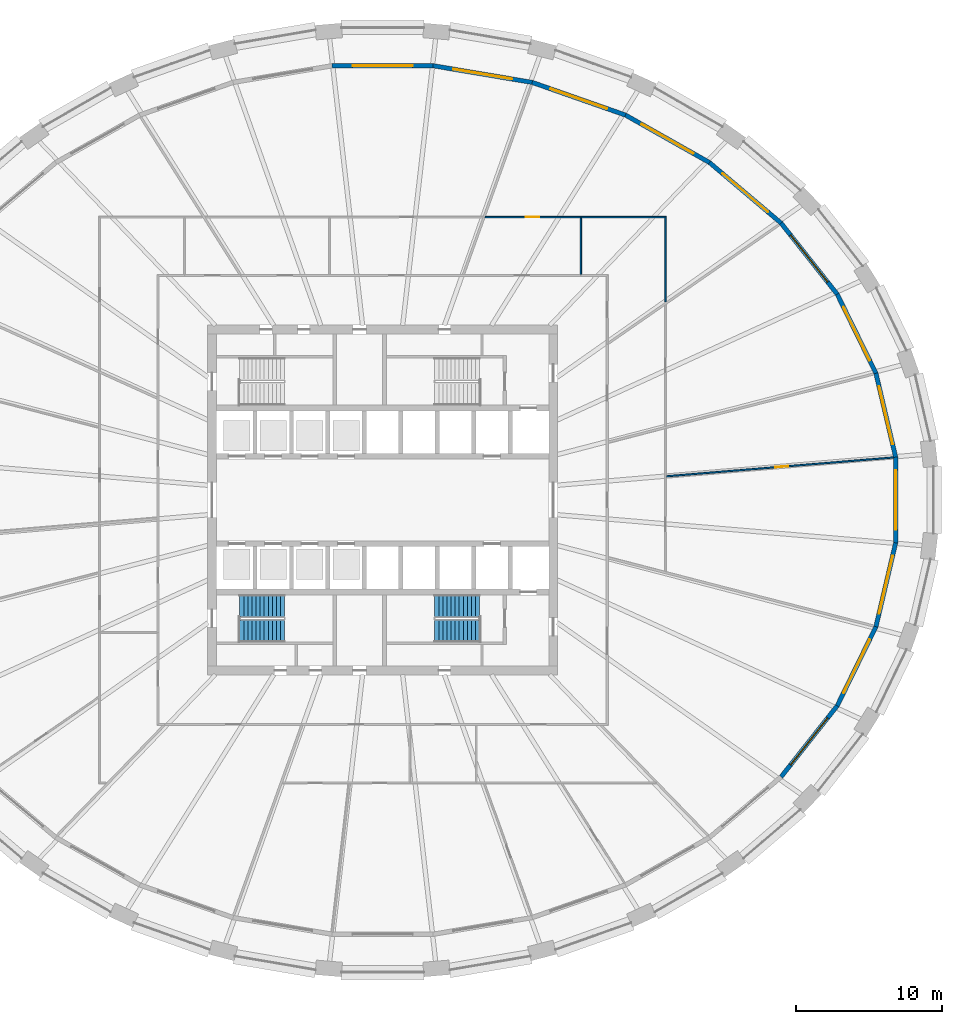
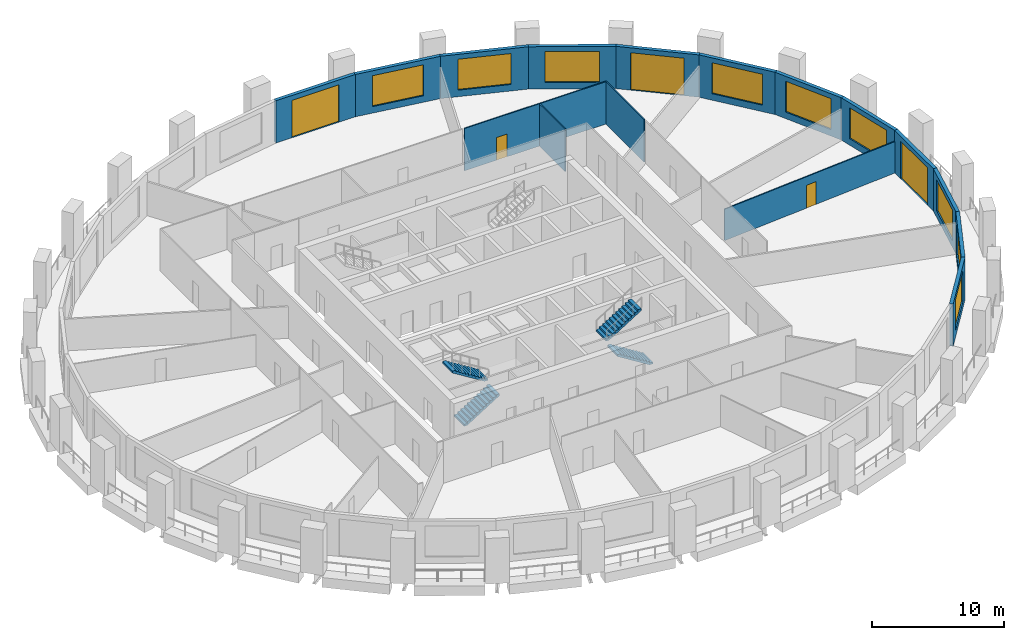
# One storey, part 8 of 12: 16 walls, 9 windows, 5 doors, 4 stair flights, 14 openings, 2 elements without a shape of their own.
"""IFC4 building model written with IfcOpenShell, lengths in metres."""

from ifc_helpers import new_model, si_unit, direction, frame, frame_2d, origin, place, context, subcontext, project, spatial, polyline, rectangle, outline, extrude, material, layer, layer_set, type_object, element, fill, aggregate, save


model = new_model("IFC4")

# Units and contexts
model_context = context("Model", 3, precision=1e-05, world=origin(), true_north=direction((0.0, 1.0)))
body_context = subcontext(model_context, "Body", "Model", "MODEL_VIEW")
ifc_project = project(units=[si_unit("LENGTHUNIT", "METRE"), si_unit("AREAUNIT", "SQUARE_METRE"), si_unit("VOLUMEUNIT", "CUBIC_METRE"), si_unit("PLANEANGLEUNIT", "RADIAN"), si_unit("MASSUNIT", "GRAM", prefix="KILO")], contexts=[model_context])

# Site, building, storey
site_placement = place(None, origin())
site = spatial("IfcSite", under=ifc_project, at=site_placement, CompositionType="ELEMENT")
building_placement = place(site_placement, origin())
building = spatial("IfcBuilding", under=site, at=building_placement, Name="Halqa Exchange Tower", CompositionType="ELEMENT")
storey_placement = place(building_placement, frame((0.0, 0.0, 31.89990234375)))
storey = spatial("IfcBuildingStorey", under=building, at=storey_placement, Name="L06", CompositionType="ELEMENT", Elevation=31.89990234375)

# Wall, opening, door
ifc_material_1 = material(Name="Gypsum board")
ifc_layer_1 = layer(ifc_material_1, 0.10009765625)
ifc_layer_set_1 = layer_set([ifc_layer_1], Name="Gypsum board")
wall_type_1 = type_object("IfcWallType", Name="Partition 100 gypsum", PredefinedType="PARTITIONING", material=ifc_layer_set_1)
wall_1_placement = place(storey_placement, frame((7.01806640625, 19.39990234375, 0.0), z_axis=(0.0, 0.0, 1.0), x_axis=(1.0, 0.0, 0.0)))
wall_1 = element("IfcWall", 1, at=wall_1_placement, inside=storey, type_object=wall_type_1, Name="L06-PWL-034", PredefinedType="PARTITIONING", context=body_context, shape_type="SweptSolid", body=[
    extrude(outline(polyline([(0.0, -0.050048828125), (1.633056640625, -0.050048828125), (3.265869140625, -0.050048828125), (4.89892578125, -0.050048828125), (6.531982421875, -0.050048828125), (6.531982421875, -0.0498046875), (6.6318359375, -0.0498046875), (6.6318359375, -0.050048828125), (8.531982421875, -0.050048828125), (10.431884765625, -0.050048828125), (12.331787109375, -0.050048828125), (12.33203125, -0.0498046875), (12.431884765625, 0.050048828125), (10.660888671875, 0.050048828125), (8.89013671875, 0.050048828125), (7.119140625, 0.050048828125), (5.348388671875, 0.050048828125), (3.577392578125, 0.050048828125), (1.806640625, 0.050048828125), (0.03564453125, 0.050048828125), (0.0, -0.04931640625), (0.0, -0.050048828125)])), origin(), (0.0, 0.0, 1.0), 3.900146484375),
])
opening_1_placement = place(wall_1_placement, frame((2.81201171875, 0.0, 0.0)))
opening_1 = element("IfcOpeningElement", 2, at=opening_1_placement, cuts=wall_1, Name="Opening 01-20", PredefinedType="OPENING", context=body_context, shape_type="SweptSolid", body=[
    extrude(rectangle(XDim=0.89990234375, YDim=2.10009765625, at=frame_2d((0.449951171875, 1.050048828125))), frame((0.0, 0.06201171875, 0.0), z_axis=(0.0, -1.0, 0.0), x_axis=(1.0, 0.0, 0.0)), (0.0, 0.0, 1.0), 0.1240234375),
])
ifc_material_2 = material(Name="Timber door leaf", Category="wood")
door_type_1 = type_object("IfcDoorType", Name="Door 900 x 2100", OperationType="SINGLE_SWING_LEFT", PredefinedType="DOOR", material=ifc_material_2)
door_1_placement = place(opening_1_placement, frame((0.89990234375, 0.0, 0.0), z_axis=(0.0, 0.0, 1.0), x_axis=(-1.0, 0.0, 0.0)))
door_1 = element("IfcDoor", 3, at=door_1_placement, inside=storey, type_object=door_type_1, Name="L06-IDR-020", OperationType="SINGLE_SWING_RIGHT", OverallHeight=2.10009765625, OverallWidth=0.89990234375, PredefinedType="DOOR", context=body_context, shape_type="SweptSolid", body=[
    extrude(rectangle(XDim=0.89990234375, YDim=2.10009765625, at=frame_2d((0.449951171875, 1.050048828125))), frame((0.0, 0.02490234375, 0.0), z_axis=(0.0, -1.0, 0.0), x_axis=(1.0, 0.0, 0.0)), (0.0, 0.0, 1.0), 0.050048828125),
])
fill(opening_1, door_1)

# Wall
wall_2_placement = place(storey_placement, frame((13.60009765625, 15.46044921875, 0.0), z_axis=(0.0, 0.0, 1.0), x_axis=(0.0, 1.0, 0.0)))
element("IfcWall", 4, at=wall_2_placement, inside=storey, type_object=wall_type_1, Name="L06-PWL-036", PredefinedType="PARTITIONING", context=body_context, shape_type="SweptSolid", body=[
    extrude(outline(polyline([(0.0, -0.050048828125), (1.94482421875, -0.050048828125), (3.8896484375, -0.050048828125), (3.8896484375, 0.050048828125), (1.9521484375, 0.050048828125), (0.0146484375, 0.050048828125), (0.0146484375, 0.0), (0.0, 0.0), (0.0, -0.050048828125)])), origin(), (0.0, 0.0, 1.0), 3.900146484375),
])

# Wall, opening, door
wall_3_placement = place(storey_placement, frame((19.4462890625, 1.623779296875, 0.0), z_axis=(0.0, 0.0, 1.0), x_axis=(0.996584208703, 0.082582776438, 0.0)))
wall_3 = element("IfcWall", 5, at=wall_3_placement, inside=storey, type_object=wall_type_1, Name="L06-PWL-045", PredefinedType="PARTITIONING", context=body_context, shape_type="SweptSolid", body=[
    extrude(outline(polyline([(15.633056640625, -0.050048828125), (15.633056640625, 0.03515625), (15.630859375, 0.050048828125), (13.677978515625, 0.050048828125), (11.72509765625, 0.050048828125), (9.772216796875, 0.050048828125), (7.8193359375, 0.050048828125), (5.866455078125, 0.050048828125), (3.91357421875, 0.050048828125), (1.960693359375, 0.050048828125), (0.0078125, 0.050048828125), (0.0, -0.044921875), (0.0, -0.050048828125), (1.9541015625, -0.050048828125), (3.908203125, -0.050048828125), (5.8623046875, -0.050048828125), (7.81640625, -0.050048828125), (9.770751953125, -0.050048828125), (11.724853515625, -0.050048828125), (13.678955078125, -0.050048828125), (15.633056640625, -0.050048828125)])), origin(), (0.0, 0.0, 1.0), 2.89208984375),
])
opening_2_placement = place(wall_3_placement, frame((7.495849609375, 0.0, 0.0)))
opening_2 = element("IfcOpeningElement", 6, at=opening_2_placement, cuts=wall_3, Name="Opening 01-18", PredefinedType="OPENING", context=body_context, shape_type="SweptSolid", body=[
    extrude(rectangle(XDim=0.89990234375, YDim=2.10009765625, at=frame_2d((0.449951171875, 1.050048828125))), frame((0.0, 0.06201171875, 0.0), z_axis=(0.0, -1.0, 0.0), x_axis=(1.0, 0.0, 0.0)), (0.0, 0.0, 1.0), 0.1240234375),
])
door_2_placement = place(opening_2_placement, origin())
door_2 = element("IfcDoor", 7, at=door_2_placement, inside=storey, type_object=door_type_1, Name="L06-IDR-018", OperationType="SINGLE_SWING_RIGHT", OverallHeight=2.10009765625, OverallWidth=0.89990234375, PredefinedType="DOOR", context=body_context, shape_type="SweptSolid", body=[
    extrude(rectangle(XDim=0.89990234375, YDim=2.10009765625, at=frame_2d((0.449951171875, 1.050048828125))), frame((0.0, 0.02490234375, 0.0), z_axis=(0.0, -1.0, 0.0), x_axis=(1.0, 0.0, 0.0)), (0.0, 0.0, 1.0), 0.050048828125),
])
fill(opening_2, door_2)

# Wall
wall_4_placement = place(storey_placement, frame((19.39990234375, 19.449951171875, 0.0), z_axis=(0.0, 0.0, 1.0), x_axis=(0.0, -1.0, 0.0)))
element("IfcWall", 8, at=wall_4_placement, inside=storey, type_object=wall_type_1, Name="L06-PWL-047", PredefinedType="PARTITIONING", context=body_context, shape_type="SweptSolid", body=[
    extrude(outline(polyline([(5.85986328125, 0.050048828125), (3.906494140625, 0.050048828125), (1.953369140625, 0.050048828125), (0.0, 0.050048828125), (0.10009765625, -0.050048828125), (2.02001953125, -0.050048828125), (3.93994140625, -0.050048828125), (5.85986328125, -0.050048828125), (5.85986328125, 0.050048828125)])), origin(), (0.0, 0.0, 1.0), 3.900146484375),
])

# Wall, opening, window
ifc_material_3 = material(Name="Limestone cladding", Category="masonry")
ifc_layer_2 = layer(ifc_material_3, 0.0400390625)
ifc_material_4 = material(Name="Ventilated cavity")
ifc_layer_3 = layer(ifc_material_4, 0.030029296875, ventilated=True)
ifc_material_5 = material(Name="Mineral wool insulation")
ifc_layer_4 = layer(ifc_material_5, 0.10009765625)
ifc_material_6 = material(Name="Concrete C30/37", Category="concrete")
ifc_layer_5 = layer(ifc_material_6, 0.10009765625)
ifc_material_7 = material(Name="Internal plaster")
ifc_layer_6 = layer(ifc_material_7, 0.030029296875)
ifc_layer_set_2 = layer_set([ifc_layer_2, ifc_layer_3, ifc_layer_4, ifc_layer_5, ifc_layer_6], Name="Stone-faced insulated wall 300")
wall_type_2 = type_object("IfcWallType", Name="Stone-faced insulated wall 300", PredefinedType="STANDARD", material=ifc_layer_set_2)
wall_5_placement = place(storey_placement, frame((35.180419921875, 2.935546875, 0.0), z_axis=(0.0, 0.0, 1.0), x_axis=(-0.228924296831, 0.973444228665, 0.0)))
wall_5 = element("IfcWall", 9, at=wall_5_placement, inside=storey, type_object=wall_type_2, Name="Glass-line wall 1", PredefinedType="STANDARD", context=body_context, shape_type="SweptSolid", body=[
    extrude(outline(polyline([(-0.017333984375, -0.14990234375), (5.931396484375, -0.14990234375), (5.897705078125, 0.14990234375), (0.017333984375, 0.14990234375), (-0.017333984375, -0.14990234375)])), origin(), (0.0, 0.0, 1.0), 3.900146484375),
])
opening_3_placement = place(wall_5_placement, frame((0.9072265625, 0.0, 0.60009765625)))
opening_3 = element("IfcOpeningElement", 10, at=opening_3_placement, cuts=wall_5, Name="Opening W-F1-01", PredefinedType="OPENING", context=body_context, shape_type="SweptSolid", body=[
    extrude(rectangle(XDim=4.10009765625, YDim=2.85009765625, at=frame_2d((2.050048828125, 1.425048828125))), frame((0.0, 0.162109375, 0.0), z_axis=(0.0, -1.0, 0.0), x_axis=(1.0, 0.0, 0.0)), (0.0, 0.0, 1.0), 0.323974609375),
])
ifc_material_8 = material(Name="Clear low-emissivity glass in aluminium frame", Category="aluminium")
window_type = type_object("IfcWindowType", Name="Fixed clear glazed window 4100 x 2850", PartitioningType="TRIPLE_PANEL_VERTICAL", PredefinedType="WINDOW", material=ifc_material_8)
window_1_placement = place(opening_3_placement, origin())
window_1 = element("IfcWindow", 11, at=window_1_placement, inside=storey, type_object=window_type, Name="Window 1", OverallHeight=2.85009765625, OverallWidth=4.10009765625, PartitioningType="TRIPLE_PANEL_VERTICAL", PredefinedType="WINDOW", context=body_context, shape_type="SweptSolid", body=[
    extrude(rectangle(XDim=4.10009765625, YDim=2.85009765625, at=frame_2d((2.050048828125, 1.425048828125))), frame((0.0, 0.030029296875, 0.0), z_axis=(0.0, -1.0, 0.0), x_axis=(1.0, 0.0, 0.0)), (0.0, 0.0, 1.0), 0.06005859375),
])
fill(opening_3, window_1)

wall_6_placement = place(storey_placement, frame((33.826416015625, 8.693115234375, 0.0), z_axis=(0.0, 0.0, 1.0), x_axis=(-0.439821516427, 0.898085204025, 0.0)))
wall_6 = element("IfcWall", 12, at=wall_6_placement, inside=storey, type_object=wall_type_2, Name="Glass-line wall 2", PredefinedType="STANDARD", context=body_context, shape_type="SweptSolid", body=[
    extrude(outline(polyline([(-0.016845703125, -0.14990234375), (6.052734375, -0.14990234375), (6.0205078125, 0.14990234375), (0.016845703125, 0.14990234375), (-0.016845703125, -0.14990234375)])), origin(), (0.0, 0.0, 1.0), 3.900146484375),
])
opening_4_placement = place(wall_6_placement, frame((0.968505859375, 0.0, 0.60009765625)))
opening_4 = element("IfcOpeningElement", 13, at=opening_4_placement, cuts=wall_6, Name="Opening W-F1-02", PredefinedType="OPENING", context=body_context, shape_type="SweptSolid", body=[
    extrude(rectangle(XDim=4.10009765625, YDim=2.85009765625, at=frame_2d((2.050048828125, 1.425048828125))), frame((0.0, 0.162109375, 0.0), z_axis=(0.0, -1.0, 0.0), x_axis=(1.0, 0.0, 0.0)), (0.0, 0.0, 1.0), 0.323974609375),
])
window_2_placement = place(opening_4_placement, origin())
window_2 = element("IfcWindow", 14, at=window_2_placement, inside=storey, type_object=window_type, Name="Window 1", OverallHeight=2.85009765625, OverallWidth=4.10009765625, PartitioningType="TRIPLE_PANEL_VERTICAL", PredefinedType="WINDOW", context=body_context, shape_type="SweptSolid", body=[
    extrude(rectangle(XDim=4.10009765625, YDim=2.85009765625, at=frame_2d((2.050048828125, 1.425048828125))), frame((0.0, 0.030029296875, 0.0), z_axis=(0.0, -1.0, 0.0), x_axis=(1.0, 0.0, 0.0)), (0.0, 0.0, 1.0), 0.06005859375),
])
fill(opening_4, window_2)

wall_7_placement = place(storey_placement, frame((31.17138671875, 14.114501953125, 0.0), z_axis=(0.0, 0.0, 1.0), x_axis=(-0.619902786528, 0.784678619089, 0.0)))
wall_7 = element("IfcWall", 15, at=wall_7_placement, inside=storey, type_object=wall_type_2, Name="Glass-line wall 3", PredefinedType="STANDARD", context=body_context, shape_type="SweptSolid", body=[
    extrude(outline(polyline([(-0.01611328125, -0.14990234375), (6.230712890625, -0.14990234375), (6.200439453125, 0.14990234375), (0.01611328125, 0.14990234375), (-0.01611328125, -0.14990234375)])), origin(), (0.0, 0.0, 1.0), 3.900146484375),
])
opening_5_placement = place(wall_7_placement, frame((1.0576171875, 0.0, 0.60009765625)))
opening_5 = element("IfcOpeningElement", 16, at=opening_5_placement, cuts=wall_7, Name="Opening W-F1-03", PredefinedType="OPENING", context=body_context, shape_type="SweptSolid", body=[
    extrude(rectangle(XDim=4.10009765625, YDim=2.85009765625, at=frame_2d((2.050048828125, 1.425048828125))), frame((0.0, 0.162109375, 0.0), z_axis=(0.0, -1.0, 0.0), x_axis=(1.0, 0.0, 0.0)), (0.0, 0.0, 1.0), 0.323974609375),
])
window_3_placement = place(opening_5_placement, origin())
window_3 = element("IfcWindow", 17, at=window_3_placement, inside=storey, type_object=window_type, Name="Window 1", OverallHeight=2.85009765625, OverallWidth=4.10009765625, PartitioningType="TRIPLE_PANEL_VERTICAL", PredefinedType="WINDOW", context=body_context, shape_type="SweptSolid", body=[
    extrude(rectangle(XDim=4.10009765625, YDim=2.85009765625, at=frame_2d((2.050048828125, 1.425048828125))), frame((0.0, 0.030029296875, 0.0), z_axis=(0.0, -1.0, 0.0), x_axis=(1.0, 0.0, 0.0)), (0.0, 0.0, 1.0), 0.06005859375),
])
fill(opening_5, window_3)

# Wall, opening, door
wall_8_placement = place(storey_placement, frame((27.318359375, 18.99169921875, 0.0), z_axis=(0.0, 0.0, 1.0), x_axis=(-0.763540615407, 0.645759807223, 0.0)))
wall_8 = element("IfcWall", 18, at=wall_8_placement, inside=storey, type_object=wall_type_2, Name="Glass-line wall 4", PredefinedType="STANDARD", context=body_context, shape_type="SweptSolid", body=[
    extrude(outline(polyline([(-0.01513671875, -0.14990234375), (6.433837890625, -0.14990234375), (6.405517578125, 0.14990234375), (0.01513671875, 0.14990234375), (-0.01513671875, -0.14990234375)])), origin(), (0.0, 0.0, 1.0), 3.900146484375),
])
opening_6_placement = place(wall_8_placement, frame((1.159912109375, 0.0, 0.0)))
opening_6 = element("IfcOpeningElement", 19, at=opening_6_placement, cuts=wall_8, Name="Opening LG-F1-01", PredefinedType="OPENING", context=body_context, shape_type="SweptSolid", body=[
    extrude(rectangle(XDim=4.10009765625, YDim=3.449951171875, at=frame_2d((2.050048828125, 1.72509765625))), frame((0.0, 0.162109375, 0.0), z_axis=(0.0, -1.0, 0.0), x_axis=(1.0, 0.0, 0.0)), (0.0, 0.0, 1.0), 0.323974609375),
])
door_type_2 = type_object("IfcDoorType", Name="Glazed sliding loggia door 4100 x 3450", OperationType="DOUBLE_DOOR_SLIDING", PredefinedType="DOOR", material=ifc_material_8)
door_3_placement = place(opening_6_placement, origin())
door_3 = element("IfcDoor", 20, at=door_3_placement, inside=storey, type_object=door_type_2, Name="Loggia door 1", OperationType="DOUBLE_DOOR_SLIDING", OverallHeight=3.449951171875, OverallWidth=4.10009765625, PredefinedType="DOOR", context=body_context, shape_type="SweptSolid", body=[
    extrude(rectangle(XDim=4.10009765625, YDim=3.449951171875, at=frame_2d((2.050048828125, 1.72509765625))), frame((0.0, 0.02490234375, 0.0), z_axis=(0.0, -1.0, 0.0), x_axis=(1.0, 0.0, 0.0)), (0.0, 0.0, 1.0), 0.050048828125),
])
fill(opening_6, door_3)

# Wall, opening, window
wall_9_placement = place(storey_placement, frame((22.416748046875, 23.13720703125, 0.0), z_axis=(0.0, 0.0, 1.0), x_axis=(-0.8705786416, 0.492029296678, 0.0)))
wall_9 = element("IfcWall", 21, at=wall_9_placement, inside=storey, type_object=wall_type_2, Name="Glass-line wall 5", PredefinedType="STANDARD", context=body_context, shape_type="SweptSolid", body=[
    extrude(outline(polyline([(-0.01416015625, -0.14990234375), (6.631103515625, -0.14990234375), (6.604248046875, 0.14990234375), (0.01416015625, 0.14990234375), (-0.01416015625, -0.14990234375)])), origin(), (0.0, 0.0, 1.0), 3.900146484375),
])
opening_7_placement = place(wall_9_placement, frame((1.2587890625, 0.0, 0.60009765625)))
opening_7 = element("IfcOpeningElement", 22, at=opening_7_placement, cuts=wall_9, Name="Opening W-F1-05", PredefinedType="OPENING", context=body_context, shape_type="SweptSolid", body=[
    extrude(rectangle(XDim=4.10009765625, YDim=2.85009765625, at=frame_2d((2.050048828125, 1.425048828125))), frame((0.0, 0.162109375, 0.0), z_axis=(0.0, -1.0, 0.0), x_axis=(1.0, 0.0, 0.0)), (0.0, 0.0, 1.0), 0.323974609375),
])
window_4_placement = place(opening_7_placement, origin())
window_4 = element("IfcWindow", 23, at=window_4_placement, inside=storey, type_object=window_type, Name="Window 1", OverallHeight=2.85009765625, OverallWidth=4.10009765625, PartitioningType="TRIPLE_PANEL_VERTICAL", PredefinedType="WINDOW", context=body_context, shape_type="SweptSolid", body=[
    extrude(rectangle(XDim=4.10009765625, YDim=2.85009765625, at=frame_2d((2.050048828125, 1.425048828125))), frame((0.0, 0.030029296875, 0.0), z_axis=(0.0, -1.0, 0.0), x_axis=(1.0, 0.0, 0.0)), (0.0, 0.0, 1.0), 0.06005859375),
])
fill(opening_7, window_4)

wall_10_placement = place(storey_placement, frame((16.655517578125, 26.393310546875, 0.0), z_axis=(0.0, 0.0, 1.0), x_axis=(-0.943767392455, 0.330610206947, 0.0)))
wall_10 = element("IfcWall", 24, at=wall_10_placement, inside=storey, type_object=wall_type_2, Name="Glass-line wall 6", PredefinedType="STANDARD", context=body_context, shape_type="SweptSolid", body=[
    extrude(outline(polyline([(-0.013427734375, -0.14990234375), (6.7939453125, -0.14990234375), (6.7685546875, 0.14990234375), (0.013427734375, 0.14990234375), (-0.013427734375, -0.14990234375)])), origin(), (0.0, 0.0, 1.0), 3.900146484375),
])
opening_8_placement = place(wall_10_placement, frame((1.340576171875, 0.0, 0.60009765625)))
opening_8 = element("IfcOpeningElement", 25, at=opening_8_placement, cuts=wall_10, Name="Opening W-F1-06", PredefinedType="OPENING", context=body_context, shape_type="SweptSolid", body=[
    extrude(rectangle(XDim=4.10009765625, YDim=2.85009765625, at=frame_2d((2.050048828125, 1.425048828125))), frame((0.0, 0.162109375, 0.0), z_axis=(0.0, -1.0, 0.0), x_axis=(1.0, 0.0, 0.0)), (0.0, 0.0, 1.0), 0.323974609375),
])
window_5_placement = place(opening_8_placement, origin())
window_5 = element("IfcWindow", 26, at=window_5_placement, inside=storey, type_object=window_type, Name="Window 1", OverallHeight=2.85009765625, OverallWidth=4.10009765625, PartitioningType="TRIPLE_PANEL_VERTICAL", PredefinedType="WINDOW", context=body_context, shape_type="SweptSolid", body=[
    extrude(rectangle(XDim=4.10009765625, YDim=2.85009765625, at=frame_2d((2.050048828125, 1.425048828125))), frame((0.0, 0.030029296875, 0.0), z_axis=(0.0, -1.0, 0.0), x_axis=(1.0, 0.0, 0.0)), (0.0, 0.0, 1.0), 0.06005859375),
])
fill(opening_8, window_5)

wall_11_placement = place(storey_placement, frame((10.255615234375, 28.63525390625, 0.0), z_axis=(0.0, 0.0, 1.0), x_axis=(-0.986141805867, 0.165904607291, 0.0)))
wall_11 = element("IfcWall", 27, at=wall_11_placement, inside=storey, type_object=wall_type_2, Name="Glass-line wall 7", PredefinedType="STANDARD", context=body_context, shape_type="SweptSolid", body=[
    extrude(outline(polyline([(-0.0126953125, -0.14990234375), (6.90087890625, -0.14990234375), (6.8759765625, 0.14990234375), (0.0126953125, 0.14990234375), (-0.0126953125, -0.14990234375)])), origin(), (0.0, 0.0, 1.0), 3.900146484375),
])
opening_9_placement = place(wall_11_placement, frame((1.39404296875, 0.0, 0.60009765625)))
opening_9 = element("IfcOpeningElement", 28, at=opening_9_placement, cuts=wall_11, Name="Opening W-F1-07", PredefinedType="OPENING", context=body_context, shape_type="SweptSolid", body=[
    extrude(rectangle(XDim=4.10009765625, YDim=2.85009765625, at=frame_2d((2.050048828125, 1.425048828125))), frame((0.0, 0.162109375, 0.0), z_axis=(0.0, -1.0, 0.0), x_axis=(1.0, 0.0, 0.0)), (0.0, 0.0, 1.0), 0.323974609375),
])
window_6_placement = place(opening_9_placement, origin())
window_6 = element("IfcWindow", 29, at=window_6_placement, inside=storey, type_object=window_type, Name="Window 1", OverallHeight=2.85009765625, OverallWidth=4.10009765625, PartitioningType="TRIPLE_PANEL_VERTICAL", PredefinedType="WINDOW", context=body_context, shape_type="SweptSolid", body=[
    extrude(rectangle(XDim=4.10009765625, YDim=2.85009765625, at=frame_2d((2.050048828125, 1.425048828125))), frame((0.0, 0.030029296875, 0.0), z_axis=(0.0, -1.0, 0.0), x_axis=(1.0, 0.0, 0.0)), (0.0, 0.0, 1.0), 0.06005859375),
])
fill(opening_9, window_6)

# Wall, opening, door
wall_12_placement = place(storey_placement, frame((3.462646484375, 29.778076171875, 0.0), z_axis=(0.0, 0.0, 1.0), x_axis=(-1.0, 0.0, 0.0)))
wall_12 = element("IfcWall", 30, at=wall_12_placement, inside=storey, type_object=wall_type_2, Name="Glass-line wall 8", PredefinedType="STANDARD", context=body_context, shape_type="SweptSolid", body=[
    extrude(outline(polyline([(-0.012451171875, -0.14990234375), (6.937744140625, -0.14990234375), (6.912841796875, 0.14990234375), (0.012451171875, 0.14990234375), (-0.012451171875, -0.14990234375)])), origin(), (0.0, 0.0, 1.0), 3.900146484375),
])
opening_10_placement = place(wall_12_placement, frame((1.41259765625, 0.0, 0.0)))
opening_10 = element("IfcOpeningElement", 31, at=opening_10_placement, cuts=wall_12, Name="Opening LG-F1-02", PredefinedType="OPENING", context=body_context, shape_type="SweptSolid", body=[
    extrude(rectangle(XDim=4.10009765625, YDim=3.449951171875, at=frame_2d((2.050048828125, 1.72509765625))), frame((0.0, 0.162109375, 0.0), z_axis=(0.0, -1.0, 0.0), x_axis=(1.0, 0.0, 0.0)), (0.0, 0.0, 1.0), 0.323974609375),
])
door_4_placement = place(opening_10_placement, origin())
door_4 = element("IfcDoor", 32, at=door_4_placement, inside=storey, type_object=door_type_2, Name="Loggia door 2", OperationType="DOUBLE_DOOR_SLIDING", OverallHeight=3.449951171875, OverallWidth=4.10009765625, PredefinedType="DOOR", context=body_context, shape_type="SweptSolid", body=[
    extrude(rectangle(XDim=4.10009765625, YDim=3.449951171875, at=frame_2d((2.050048828125, 1.72509765625))), frame((0.0, 0.02490234375, 0.0), z_axis=(0.0, -1.0, 0.0), x_axis=(1.0, 0.0, 0.0)), (0.0, 0.0, 1.0), 0.050048828125),
])
fill(opening_10, door_4)

# Wall, opening, window
wall_13_placement = place(storey_placement, frame((27.318359375, -18.99169921875, 0.0), z_axis=(0.0, 0.0, 1.0), x_axis=(0.619902786528, 0.784678619089, 0.0)))
wall_13 = element("IfcWall", 33, at=wall_13_placement, inside=storey, type_object=wall_type_2, Name="Glass-line wall 29", PredefinedType="STANDARD", context=body_context, shape_type="SweptSolid", body=[
    extrude(outline(polyline([(-0.01513671875, -0.14990234375), (6.231689453125, -0.14990234375), (6.199462890625, 0.14990234375), (0.01513671875, 0.14990234375), (-0.01513671875, -0.14990234375)])), origin(), (0.0, 0.0, 1.0), 3.900146484375),
])
opening_11_placement = place(wall_13_placement, frame((1.0576171875, 0.0, 0.60009765625)))
opening_11 = element("IfcOpeningElement", 34, at=opening_11_placement, cuts=wall_13, Name="Opening W-F1-29", PredefinedType="OPENING", context=body_context, shape_type="SweptSolid", body=[
    extrude(rectangle(XDim=4.10009765625, YDim=2.85009765625, at=frame_2d((2.050048828125, 1.425048828125))), frame((0.0, 0.162109375, 0.0), z_axis=(0.0, -1.0, 0.0), x_axis=(1.0, 0.0, 0.0)), (0.0, 0.0, 1.0), 0.323974609375),
])
window_7_placement = place(opening_11_placement, origin())
window_7 = element("IfcWindow", 35, at=window_7_placement, inside=storey, type_object=window_type, Name="Window 1", OverallHeight=2.85009765625, OverallWidth=4.10009765625, PartitioningType="TRIPLE_PANEL_VERTICAL", PredefinedType="WINDOW", context=body_context, shape_type="SweptSolid", body=[
    extrude(rectangle(XDim=4.10009765625, YDim=2.85009765625, at=frame_2d((2.050048828125, 1.425048828125))), frame((0.0, 0.030029296875, 0.0), z_axis=(0.0, -1.0, 0.0), x_axis=(1.0, 0.0, 0.0)), (0.0, 0.0, 1.0), 0.06005859375),
])
fill(opening_11, window_7)

wall_14_placement = place(storey_placement, frame((31.17138671875, -14.114501953125, 0.0), z_axis=(0.0, 0.0, 1.0), x_axis=(0.439821516427, 0.898085204025, 0.0)))
wall_14 = element("IfcWall", 36, at=wall_14_placement, inside=storey, type_object=wall_type_2, Name="Glass-line wall 30", PredefinedType="STANDARD", context=body_context, shape_type="SweptSolid", body=[
    extrude(outline(polyline([(-0.01611328125, -0.14990234375), (6.053466796875, -0.14990234375), (6.019775390625, 0.14990234375), (0.01611328125, 0.14990234375), (-0.01611328125, -0.14990234375)])), origin(), (0.0, 0.0, 1.0), 3.900146484375),
])
opening_12_placement = place(wall_14_placement, frame((0.968505859375, 0.0, 0.60009765625)))
opening_12 = element("IfcOpeningElement", 37, at=opening_12_placement, cuts=wall_14, Name="Opening W-F1-30", PredefinedType="OPENING", context=body_context, shape_type="SweptSolid", body=[
    extrude(rectangle(XDim=4.10009765625, YDim=2.85009765625, at=frame_2d((2.050048828125, 1.425048828125))), frame((0.0, 0.162109375, 0.0), z_axis=(0.0, -1.0, 0.0), x_axis=(1.0, 0.0, 0.0)), (0.0, 0.0, 1.0), 0.323974609375),
])
window_8_placement = place(opening_12_placement, origin())
window_8 = element("IfcWindow", 38, at=window_8_placement, inside=storey, type_object=window_type, Name="Window 1", OverallHeight=2.85009765625, OverallWidth=4.10009765625, PartitioningType="TRIPLE_PANEL_VERTICAL", PredefinedType="WINDOW", context=body_context, shape_type="SweptSolid", body=[
    extrude(rectangle(XDim=4.10009765625, YDim=2.85009765625, at=frame_2d((2.050048828125, 1.425048828125))), frame((0.0, 0.030029296875, 0.0), z_axis=(0.0, -1.0, 0.0), x_axis=(1.0, 0.0, 0.0)), (0.0, 0.0, 1.0), 0.06005859375),
])
fill(opening_12, window_8)

wall_15_placement = place(storey_placement, frame((33.826416015625, -8.693115234375, 0.0), z_axis=(0.0, 0.0, 1.0), x_axis=(0.228924296831, 0.973444228665, 0.0)))
wall_15 = element("IfcWall", 39, at=wall_15_placement, inside=storey, type_object=wall_type_2, Name="Glass-line wall 31", PredefinedType="STANDARD", context=body_context, shape_type="SweptSolid", body=[
    extrude(outline(polyline([(-0.016845703125, -0.14990234375), (5.931884765625, -0.14990234375), (5.897216796875, 0.14990234375), (0.016845703125, 0.14990234375), (-0.016845703125, -0.14990234375)])), origin(), (0.0, 0.0, 1.0), 3.900146484375),
])
opening_13_placement = place(wall_15_placement, frame((0.9072265625, 0.0, 0.60009765625)))
opening_13 = element("IfcOpeningElement", 40, at=opening_13_placement, cuts=wall_15, Name="Opening W-F1-31", PredefinedType="OPENING", context=body_context, shape_type="SweptSolid", body=[
    extrude(rectangle(XDim=4.10009765625, YDim=2.85009765625, at=frame_2d((2.050048828125, 1.425048828125))), frame((0.0, 0.162109375, 0.0), z_axis=(0.0, -1.0, 0.0), x_axis=(1.0, 0.0, 0.0)), (0.0, 0.0, 1.0), 0.323974609375),
])
window_9_placement = place(opening_13_placement, origin())
window_9 = element("IfcWindow", 41, at=window_9_placement, inside=storey, type_object=window_type, Name="Window 1", OverallHeight=2.85009765625, OverallWidth=4.10009765625, PartitioningType="TRIPLE_PANEL_VERTICAL", PredefinedType="WINDOW", context=body_context, shape_type="SweptSolid", body=[
    extrude(rectangle(XDim=4.10009765625, YDim=2.85009765625, at=frame_2d((2.050048828125, 1.425048828125))), frame((0.0, 0.030029296875, 0.0), z_axis=(0.0, -1.0, 0.0), x_axis=(1.0, 0.0, 0.0)), (0.0, 0.0, 1.0), 0.06005859375),
])
fill(opening_13, window_9)

# Wall, opening, door
wall_16_placement = place(storey_placement, frame((35.180419921875, -2.935546875, 0.0), z_axis=(0.0, 0.0, 1.0), x_axis=(0.0, 1.0, 0.0)))
wall_16 = element("IfcWall", 42, at=wall_16_placement, inside=storey, type_object=wall_type_2, Name="Glass-line wall 32", PredefinedType="STANDARD", context=body_context, shape_type="SweptSolid", body=[
    extrude(outline(polyline([(-0.017333984375, -0.14990234375), (5.888427734375, -0.14990234375), (5.853759765625, 0.14990234375), (0.017333984375, 0.14990234375), (-0.017333984375, -0.14990234375)])), origin(), (0.0, 0.0, 1.0), 3.900146484375),
])
opening_14_placement = place(wall_16_placement, frame((0.885498046875, 0.0, 0.0)))
opening_14 = element("IfcOpeningElement", 43, at=opening_14_placement, cuts=wall_16, Name="Opening LG-F1-08", PredefinedType="OPENING", context=body_context, shape_type="SweptSolid", body=[
    extrude(rectangle(XDim=4.10009765625, YDim=3.449951171875, at=frame_2d((2.050048828125, 1.72509765625))), frame((0.0, 0.162109375, 0.0), z_axis=(0.0, -1.0, 0.0), x_axis=(1.0, 0.0, 0.0)), (0.0, 0.0, 1.0), 0.323974609375),
])
door_5_placement = place(opening_14_placement, origin())
door_5 = element("IfcDoor", 44, at=door_5_placement, inside=storey, type_object=door_type_2, Name="Loggia door 8", OperationType="DOUBLE_DOOR_SLIDING", OverallHeight=3.449951171875, OverallWidth=4.10009765625, PredefinedType="DOOR", context=body_context, shape_type="SweptSolid", body=[
    extrude(rectangle(XDim=4.10009765625, YDim=3.449951171875, at=frame_2d((2.050048828125, 1.72509765625))), frame((0.0, 0.02490234375, 0.0), z_axis=(0.0, -1.0, 0.0), x_axis=(1.0, 0.0, 0.0)), (0.0, 0.0, 1.0), 0.050048828125),
])
fill(opening_14, door_5)

# Stair, stair flights
stair_type = type_object("IfcStairType", Name="Exit stair 1500 wide", PredefinedType="HALF_TURN_STAIR", material=ifc_material_6)
stair_1_placement = place(storey_placement, origin())
stair_1 = element("IfcStair", 45, at=stair_1_placement, inside=storey, type_object=stair_type, Name="Exit stair ST3", PredefinedType="HALF_TURN_STAIR")
stair_flight_type = type_object("IfcStairFlightType", Name="Stair flight 1500 wide", PredefinedType="STRAIGHT", material=ifc_material_6)
stair_flight_1_placement = place(storey_placement, frame((-9.800048828125, -9.0, 0.0), z_axis=(0.0, 0.0, 1.0), x_axis=(1.0, 0.0, 0.0)))
stair_flight_1 = element("IfcStairFlight", 46, at=stair_flight_1_placement, type_object=stair_flight_type, Name="ST3 flight 1", NumberOfRisers=12, NumberOfTreads=11, PredefinedType="STRAIGHT", RiserHeight=0.175, TreadLength=0.28, context=body_context, shape_type="SweptSolid", body=[
    extrude(outline(polyline([(0.0, 0.0), (0.0, 0.175048828125), (0.280029296875, 0.175048828125), (0.280029296875, 0.35009765625), (0.56005859375, 0.35009765625), (0.56005859375, 0.52490234375), (0.840087890625, 0.52490234375), (0.840087890625, 0.699951171875), (1.1201171875, 0.699951171875), (1.1201171875, 0.875), (1.39990234375, 0.875), (1.39990234375, 1.050048828125), (1.679931640625, 1.050048828125), (1.679931640625, 1.22509765625), (1.9599609375, 1.22509765625), (1.9599609375, 1.39990234375), (2.239990234375, 1.39990234375), (2.239990234375, 1.574951171875), (2.52001953125, 1.574951171875), (2.52001953125, 1.75), (2.800048828125, 1.75), (2.800048828125, 1.925048828125), (3.080078125, 1.925048828125), (3.080078125, 2.10009765625), (3.080078125, 1.748291015625), (0.28271484375, 0.0), (0.0, 0.0)])), frame((0.0, 0.75, 0.0), z_axis=(0.0, -1.0, 0.0), x_axis=(1.0, 0.0, 0.0)), (0.0, 0.0, 1.0), 1.5),
])
stair_flight_2_placement = place(storey_placement, frame((-6.719970703125, -7.25, 2.10009765625), z_axis=(0.0, 0.0, 1.0), x_axis=(-1.0, 0.0, 0.0)))
stair_flight_2 = element("IfcStairFlight", 47, at=stair_flight_2_placement, type_object=stair_flight_type, Name="ST3 flight 2", NumberOfRisers=12, NumberOfTreads=11, PredefinedType="STRAIGHT", RiserHeight=0.175, TreadLength=0.28, context=body_context, shape_type="SweptSolid", body=[
    extrude(outline(polyline([(0.0, 0.0), (0.0, 0.175048828125), (0.280029296875, 0.175048828125), (0.280029296875, 0.35009765625), (0.56005859375, 0.35009765625), (0.56005859375, 0.52490234375), (0.840087890625, 0.52490234375), (0.840087890625, 0.699951171875), (1.1201171875, 0.699951171875), (1.1201171875, 0.875), (1.39990234375, 0.875), (1.39990234375, 1.050048828125), (1.679931640625, 1.050048828125), (1.679931640625, 1.22509765625), (1.9599609375, 1.22509765625), (1.9599609375, 1.39990234375), (2.239990234375, 1.39990234375), (2.239990234375, 1.574951171875), (2.52001953125, 1.574951171875), (2.52001953125, 1.75), (2.800048828125, 1.75), (2.800048828125, 1.925048828125), (3.080078125, 1.925048828125), (3.080078125, 2.10009765625), (3.080078125, 1.748291015625), (0.28271484375, 0.0), (0.0, 0.0)])), frame((0.0, 0.75, 0.0), z_axis=(0.0, -1.0, 0.0), x_axis=(1.0, 0.0, 0.0)), (0.0, 0.0, 1.0), 1.5),
])
aggregate(stair_1, [stair_flight_1, stair_flight_2])

stair_2_placement = place(storey_placement, origin())
stair_2 = element("IfcStair", 48, at=stair_2_placement, inside=storey, type_object=stair_type, Name="Exit stair ST4", PredefinedType="HALF_TURN_STAIR")
stair_flight_3_placement = place(storey_placement, frame((6.64990234375, -9.0, 0.0), z_axis=(0.0, 0.0, 1.0), x_axis=(-1.0, 0.0, 0.0)))
stair_flight_3 = element("IfcStairFlight", 49, at=stair_flight_3_placement, type_object=stair_flight_type, Name="ST4 flight 1", NumberOfRisers=12, NumberOfTreads=11, PredefinedType="STRAIGHT", RiserHeight=0.175, TreadLength=0.28, context=body_context, shape_type="SweptSolid", body=[
    extrude(outline(polyline([(0.0, 0.0), (0.0, 0.175048828125), (0.280029296875, 0.175048828125), (0.280029296875, 0.35009765625), (0.56005859375, 0.35009765625), (0.56005859375, 0.52490234375), (0.840087890625, 0.52490234375), (0.840087890625, 0.699951171875), (1.1201171875, 0.699951171875), (1.1201171875, 0.875), (1.39990234375, 0.875), (1.39990234375, 1.050048828125), (1.679931640625, 1.050048828125), (1.679931640625, 1.22509765625), (1.9599609375, 1.22509765625), (1.9599609375, 1.39990234375), (2.239990234375, 1.39990234375), (2.239990234375, 1.574951171875), (2.52001953125, 1.574951171875), (2.52001953125, 1.75), (2.800048828125, 1.75), (2.800048828125, 1.925048828125), (3.080078125, 1.925048828125), (3.080078125, 2.10009765625), (3.080078125, 1.748291015625), (0.28271484375, 0.0), (0.0, 0.0)])), frame((0.0, 0.75, 0.0), z_axis=(0.0, -1.0, 0.0), x_axis=(1.0, 0.0, 0.0)), (0.0, 0.0, 1.0), 1.5),
])
stair_flight_4_placement = place(storey_placement, frame((3.570068359375, -7.25, 2.10009765625), z_axis=(0.0, 0.0, 1.0), x_axis=(1.0, 0.0, 0.0)))
stair_flight_4 = element("IfcStairFlight", 50, at=stair_flight_4_placement, type_object=stair_flight_type, Name="ST4 flight 2", NumberOfRisers=12, NumberOfTreads=11, PredefinedType="STRAIGHT", RiserHeight=0.175, TreadLength=0.28, context=body_context, shape_type="SweptSolid", body=[
    extrude(outline(polyline([(0.0, 0.0), (0.0, 0.175048828125), (0.280029296875, 0.175048828125), (0.280029296875, 0.35009765625), (0.56005859375, 0.35009765625), (0.56005859375, 0.52490234375), (0.840087890625, 0.52490234375), (0.840087890625, 0.699951171875), (1.1201171875, 0.699951171875), (1.1201171875, 0.875), (1.39990234375, 0.875), (1.39990234375, 1.050048828125), (1.679931640625, 1.050048828125), (1.679931640625, 1.22509765625), (1.9599609375, 1.22509765625), (1.9599609375, 1.39990234375), (2.239990234375, 1.39990234375), (2.239990234375, 1.574951171875), (2.52001953125, 1.574951171875), (2.52001953125, 1.75), (2.800048828125, 1.75), (2.800048828125, 1.925048828125), (3.080078125, 1.925048828125), (3.080078125, 2.10009765625), (3.080078125, 1.748291015625), (0.28271484375, 0.0), (0.0, 0.0)])), frame((0.0, 0.75, 0.0), z_axis=(0.0, -1.0, 0.0), x_axis=(1.0, 0.0, 0.0)), (0.0, 0.0, 1.0), 1.5),
])
aggregate(stair_2, [stair_flight_3, stair_flight_4])

save(model, "model.ifc")
